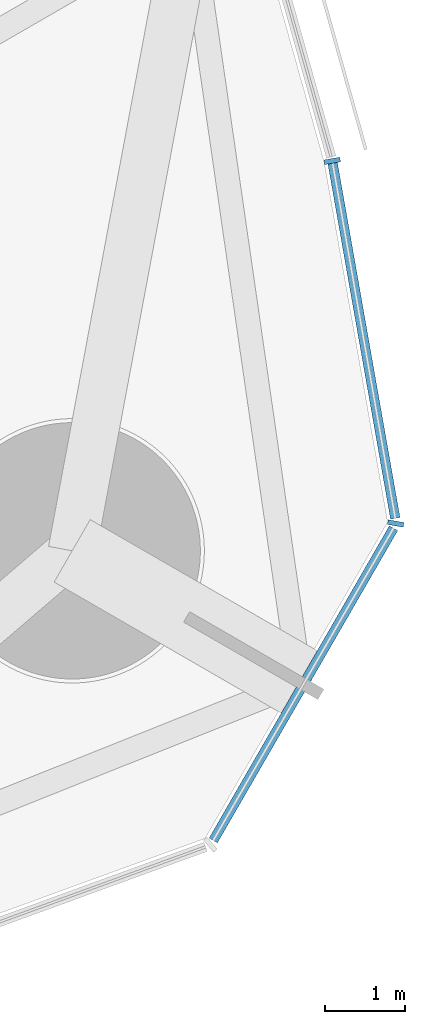
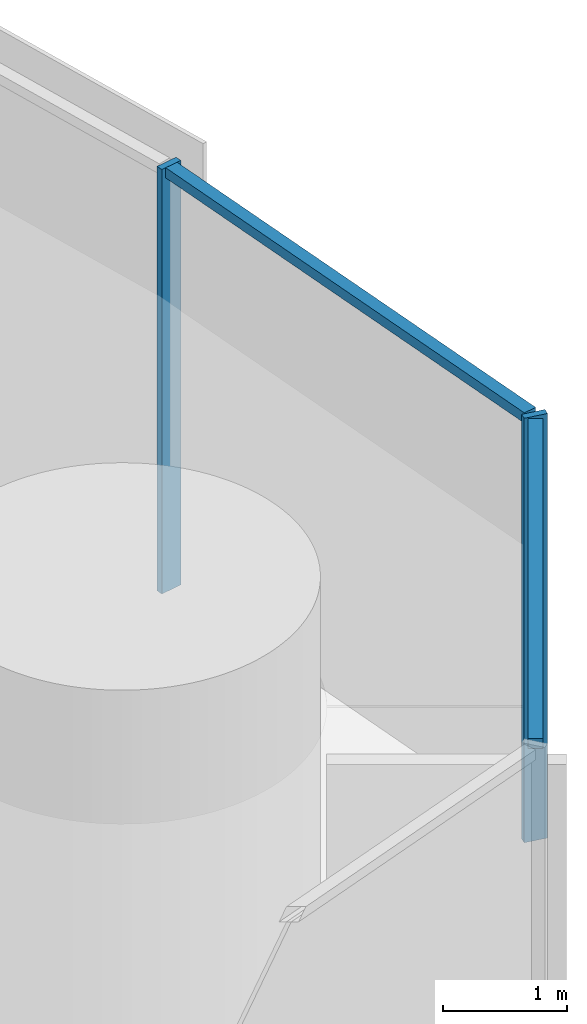
# One storey, part 9 of 20: 4 members, 1 element without a shape of its own.
"""IFC4 building model written with IfcOpenShell, lengths in metres."""

from ifc_helpers import new_model, si_unit, direction, frame, origin, origin_2d, place, context, subcontext, project, spatial, rectangle, extrude, material, material_profile, profile_set, type_object, element, aggregate, save


model = new_model("IFC4")

# Units and contexts
model_context = context("Model", 3, precision=1e-05, world=origin(), true_north=direction((0.0, 1.0)))
body_context = subcontext(model_context, "Body", "Model", "MODEL_VIEW")
ifc_project = project(units=[si_unit("LENGTHUNIT", "METRE"), si_unit("AREAUNIT", "SQUARE_METRE"), si_unit("VOLUMEUNIT", "CUBIC_METRE"), si_unit("PLANEANGLEUNIT", "RADIAN"), si_unit("MASSUNIT", "GRAM", prefix="KILO")], contexts=[model_context])

# Site, building, storey
site_placement = place(None, origin())
site = spatial("IfcSite", under=ifc_project, at=site_placement, CompositionType="ELEMENT")
building_placement = place(site_placement, origin())
building = spatial("IfcBuilding", under=site, at=building_placement, Name="Trefoil Bronze Tower", CompositionType="ELEMENT")
storey_placement = place(building_placement, frame((0.0, 0.0, 219.10009765625)))
storey = spatial("IfcBuildingStorey", under=building, at=storey_placement, Name="L50", CompositionType="ELEMENT", Elevation=219.10009765625)

# Curtain wall, members
ifc_material_1 = material(Name="Tinted solar-control glass", Category="glass")
curtain_wall_type = type_object("IfcCurtainWallType", Name="Bronze rounded corner curtain wall", PredefinedType="USERDEFINED", material=ifc_material_1)
curtain_wall_placement = place(storey_placement, origin())
curtain_wall = element("IfcCurtainWall", 1, at=curtain_wall_placement, inside=storey, type_object=curtain_wall_type, Name="CW-B L50 K1", ObjectType="CURTAIN WALL", PredefinedType="USERDEFINED")
ifc_material_2 = material(Name="Bronze-finish aluminium", Category="aluminium")
ifc_material_profile_1 = material_profile(ifc_material_2, rectangle(XDim=0.199951171875, YDim=0.06005859375, at=origin_2d()), Name="CW-B mullion")
ifc_profile_set_1 = profile_set([ifc_material_profile_1], Name="Bronze-finish aluminium")
member_type_1 = type_object("IfcMemberType", Name="Bronze rounded corner curtain wall mullion", PredefinedType="MULLION", material=ifc_profile_set_1)
member_1_placement = place(storey_placement, frame((32.616943359375, -16.158935546875, 0.0), z_axis=(0.0, 0.0, 1.0), x_axis=(-0.984807753012, 0.173648177667, 0.0)))
member_1 = element("IfcMember", 2, at=member_1_placement, type_object=member_type_1, Name="CW-B L50 K1 mullion 3", PredefinedType="MULLION", context=body_context, shape_type="SweptSolid", body=[
    extrude(rectangle(XDim=0.199951171875, YDim=0.06005859375, at=origin_2d()), origin(), (0.0, 0.0, 1.0), 4.179931640625),
])
member_2_placement = place(storey_placement, frame((31.824951171875, -11.63330078125, 0.0), z_axis=(0.0, 0.0, 1.0), x_axis=(-0.984807753012, -0.173648177667, 0.0)))
member_2 = element("IfcMember", 3, at=member_2_placement, type_object=member_type_1, Name="CW-B L50 K1 mullion 4", PredefinedType="MULLION", context=body_context, shape_type="SweptSolid", body=[
    extrude(rectangle(XDim=0.199951171875, YDim=0.06005859375, at=origin_2d()), origin(), (0.0, 0.0, 1.0), 4.179931640625),
])
ifc_material_3 = material(Name="Bronze-finish aluminium", Category="aluminium")
ifc_material_profile_2 = material_profile(ifc_material_3, rectangle(XDim=0.1201171875, YDim=0.10009765625, at=origin_2d()), Name="CW-B transom")
ifc_profile_set_2 = profile_set([ifc_material_profile_2], Name="Bronze-finish aluminium")
member_type_2 = type_object("IfcMemberType", Name="Bronze rounded corner curtain wall transom", PredefinedType="USERDEFINED", material=ifc_profile_set_2)
member_3_placement = place(storey_placement, frame((30.33984375, -20.114990234375, 4.1298828125), z_axis=(0.500007335828, 0.866021168401, 0.0), x_axis=(-0.866021168401, 0.500007335828, 0.0)))
member_3 = element("IfcMember", 4, at=member_3_placement, type_object=member_type_2, Name="CW-B L50 K1 transom 2", ObjectType="TRANSOM", PredefinedType="USERDEFINED", context=body_context, shape_type="SweptSolid", body=[
    extrude(rectangle(XDim=0.1201171875, YDim=0.10009765625, at=origin_2d()), origin(), (0.0, 0.0, 1.0), 4.50048828125),
])
member_4_placement = place(storey_placement, frame((32.611572265625, -16.0947265625, 4.1298828125), z_axis=(-0.173655350028, 0.984806488304, 0.0), x_axis=(-0.984806488304, -0.173655350028, 0.0)))
member_4 = element("IfcMember", 5, at=member_4_placement, type_object=member_type_2, Name="CW-B L50 K1 transom 3", ObjectType="TRANSOM", PredefinedType="USERDEFINED", context=body_context, shape_type="SweptSolid", body=[
    extrude(rectangle(XDim=0.1201171875, YDim=0.10009765625, at=origin_2d()), origin(), (0.0, 0.0, 1.0), 4.500244140625),
])
aggregate(curtain_wall, [member_1, member_2, member_3, member_4])

save(model, "model.ifc")
